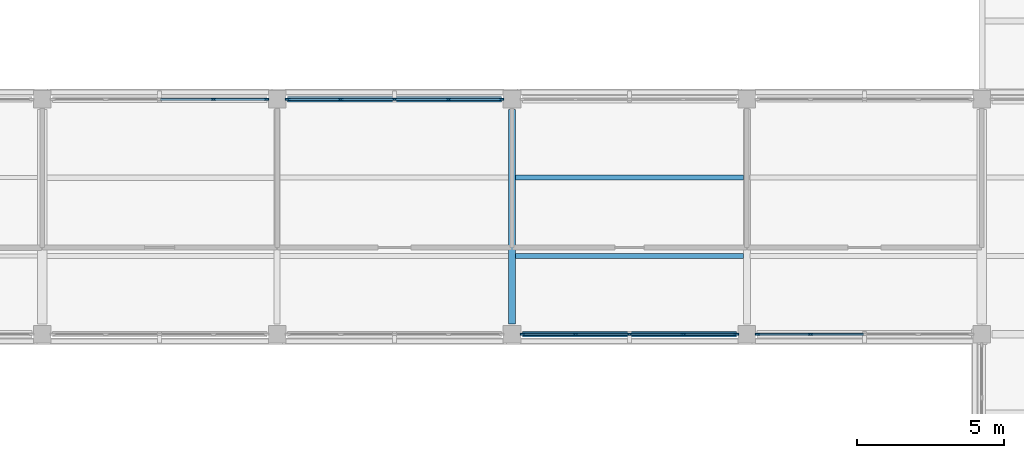
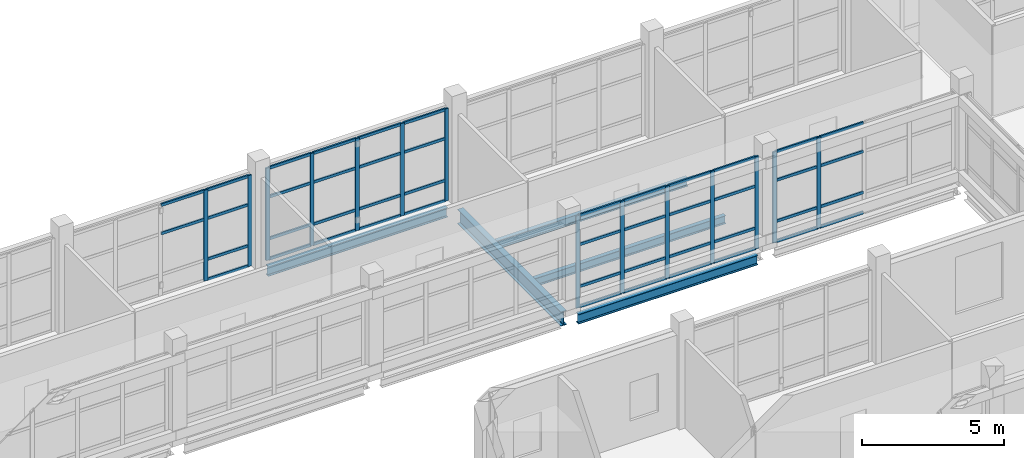
# One storey, part 48 of 121: 60 members, 5 beams, 4 elements without a shape of their own.
"""IFC4 building model written with IfcOpenShell, lengths in metres."""

import ifcopenshell
import ifcopenshell.guid

model = None  # the IFC model being written
_history = None  # IfcOwnerHistory: only IFC2X3 demands one
_inside = {}  # id of a spatial element -> (the spatial element, [elements in it])
_under = {}  # id of a project, library or spatial element -> (it, [spatial elements below it])
_declared = {}  # id of a project -> (the project, [libraries it declares])
_typed = {}  # id of a type object -> (the type object, [elements of that type])
_made_of = {}  # id of a material, layer set ... -> (it, [elements and type objects made of it])


def new_model(schema):
    """Start an empty IFC model of exactly this schema.

    Asked for "IFC4X3", IfcOpenShell would pick the latest addendum, in which some entities
    have other attributes; the version numbers below select the first issue.
    IFC2X3 requires an IfcOwnerHistory on every rooted entity: one is made here for all.
    """
    global model, _history
    if schema == "IFC4X3":
        model = ifcopenshell.file(schema_version=(4, 3, 0, 0))
    else:
        model = ifcopenshell.file(schema=schema)
    _inside.clear()
    _under.clear()
    _declared.clear()
    _typed.clear()
    _made_of.clear()
    _history = None
    if model.schema == "IFC2X3":
        org = make("IfcOrganization", Name="unknown")
        user = make(
            "IfcPersonAndOrganization",
            ThePerson=make("IfcPerson", FamilyName="unknown"),
            TheOrganization=org,
        )
        app = make(
            "IfcApplication",
            ApplicationDeveloper=org,
            Version="unknown",
            ApplicationFullName="unknown",
            ApplicationIdentifier="unknown",
        )
        _history = make(
            "IfcOwnerHistory",
            OwningUser=user,
            OwningApplication=app,
            ChangeAction="ADDED",
            CreationDate=0,
        )
    return model


def make(cls, **values):
    """One entity of the class cls with the attributes given. An attribute that is None is left unset."""
    return model.create_entity(
        cls, **{name: value for name, value in values.items() if value is not None}
    )


def rooted(cls, **values):
    """An entity with a GlobalId (a new one), such as an element, a storey or a relation."""
    return make(cls, GlobalId=ifcopenshell.guid.new(), OwnerHistory=_history, **values)


def si_unit(unit_type, name, prefix=None):
    """IfcSIUnit, for example si_unit("LENGTHUNIT", "METRE", prefix="MILLI")."""
    return make("IfcSIUnit", UnitType=unit_type, Prefix=prefix, Name=name)


def derived_unit(unit_type, elements):
    """IfcDerivedUnit: a product of units, each with its exponent."""
    return make(
        "IfcDerivedUnit",
        Elements=[
            make("IfcDerivedUnitElement", Unit=unit, Exponent=power)
            for unit, power in elements
        ],
        UnitType=unit_type,
    )


def assignment(units):
    """IfcUnitAssignment: the units of a project."""
    return None if units is None else make("IfcUnitAssignment", Units=units)


def point(xyz):
    """IfcCartesianPoint."""
    return None if xyz is None else make("IfcCartesianPoint", Coordinates=xyz)


def direction(xyz):
    """IfcDirection."""
    return None if xyz is None else make("IfcDirection", DirectionRatios=xyz)


def frame(location, z_axis=None, x_axis=None):
    """IfcAxis2Placement3D, a coordinate frame: its origin and axes. An axis left out is left unset."""
    return make(
        "IfcAxis2Placement3D",
        Location=point(location),
        Axis=direction(z_axis),
        RefDirection=direction(x_axis),
    )


def frame_2d(location, x_axis=None):
    """IfcAxis2Placement2D, a coordinate frame in the plane: its origin and x axis."""
    return make(
        "IfcAxis2Placement2D", Location=point(location), RefDirection=direction(x_axis)
    )


def origin():
    """The frame at (0, 0, 0) with its axes left unset."""
    return frame((0.0, 0.0, 0.0))


def origin_2d():
    """The frame at (0, 0) in the plane with its x axis left unset."""
    return frame_2d((0.0, 0.0))


def place(relative_to, where):
    """IfcLocalPlacement: puts the frame where relative to a parent placement (None: the world)."""
    return make(
        "IfcLocalPlacement", PlacementRelTo=relative_to, RelativePlacement=where
    )


def context(
    kind, dimensions, precision=None, world=None, true_north=None, identifier=None
):
    """IfcGeometricRepresentationContext, for example the 3D "Model" context."""
    return make(
        "IfcGeometricRepresentationContext",
        ContextIdentifier=identifier,
        ContextType=kind,
        CoordinateSpaceDimension=dimensions,
        Precision=precision,
        WorldCoordinateSystem=world,
        TrueNorth=true_north,
    )


def subcontext(parent, identifier, kind, view, scale=None):
    """IfcGeometricRepresentationSubContext, for example "Body" below "Model"."""
    return make(
        "IfcGeometricRepresentationSubContext",
        ContextIdentifier=identifier,
        ContextType=kind,
        ParentContext=parent,
        TargetScale=scale,
        TargetView=view,
    )


def project(units=None, contexts=None):
    """IfcProject with its units and contexts."""
    return rooted(
        "IfcProject",
        Name="project",
        RepresentationContexts=contexts,
        UnitsInContext=assignment(units),
    )


def spatial(cls, under=None, at=None, **own):
    """A site, building, storey or space (cls), placed at a placement, below another one or the project."""
    s = rooted(cls, ObjectPlacement=at, **own)
    if under is not None:
        _under.setdefault(under.id(), (under, []))[1].append(s)
    return s


def profile(cls, at=None, kind="AREA", **sizes):
    """A parametric profile (cls). Its sizes go by their IFC names, for example OverallWidth=200.0."""
    return make(cls, ProfileType=kind, Position=at, **sizes)


def rectangle(**sizes):
    """IfcRectangleProfileDef."""
    return profile("IfcRectangleProfileDef", **sizes)


def i_section(**sizes):
    """IfcIShapeProfileDef."""
    return profile("IfcIShapeProfileDef", **sizes)


def extrude(swept, where, along, depth):
    """IfcExtrudedAreaSolid: the profile swept, set in the frame where, extruded along a direction by depth."""
    return make(
        "IfcExtrudedAreaSolid",
        SweptArea=swept,
        Position=where,
        ExtrudedDirection=direction(along),
        Depth=depth,
    )


def shape(context_of_items, identifier, shape_type, items):
    """IfcShapeRepresentation: the items that make up one representation, for example the "Body"."""
    return make(
        "IfcShapeRepresentation",
        ContextOfItems=context_of_items,
        RepresentationIdentifier=identifier,
        RepresentationType=shape_type,
        Items=items,
    )


def material(Name=None, Category=None):
    """IfcMaterial."""
    return make("IfcMaterial", Name=Name, Category=Category)


def layer(
    of_material, thickness, ventilated=None, Name=None, Category=None, Priority=None
):
    """IfcMaterialLayer: one layer of a wall or slab, of a material (None: an air gap)."""
    return make(
        "IfcMaterialLayer",
        Material=of_material,
        LayerThickness=thickness,
        IsVentilated=ventilated,
        Name=Name,
        Category=Category,
        Priority=Priority,
    )


def layer_set(layers, Name=None):
    """IfcMaterialLayerSet."""
    return make("IfcMaterialLayerSet", MaterialLayers=layers, LayerSetName=Name)


def material_profile(
    of_material, cross_section, Name=None, Category=None, Priority=None
):
    """IfcMaterialProfile: a cross section and its material."""
    return make(
        "IfcMaterialProfile",
        Name=Name,
        Material=of_material,
        Profile=cross_section,
        Priority=Priority,
        Category=Category,
    )


def profile_set(profiles, Name=None, composite=None):
    """IfcMaterialProfileSet."""
    return make(
        "IfcMaterialProfileSet",
        Name=Name,
        MaterialProfiles=profiles,
        CompositeProfile=composite,
    )


def made_of(thing, what):
    """Note that an element or type object is made of a material, layer set ...; save() writes the relation."""
    if what is not None:
        _made_of.setdefault(what.id(), (what, []))[1].append(thing)
    return thing


def type_object(cls, material=None, **own):
    """A type object (cls), such as IfcWallType, which elements share."""
    return made_of(rooted(cls, **own), material)


def element(
    cls,
    number,
    at=None,
    inside=None,
    cuts=None,
    type_object=None,
    material=None,
    context=None,
    identifier="Body",
    shape_type=None,
    held_by="IfcProductDefinitionShape",
    body=None,
    shapes=None,
    **own,
):
    """One element of the class cls, such as IfcWall. Its Tag is "e" and its number.

    at: its placement. inside: the storey or other place that contains it. cuts: it is an
    opening in that element (IfcRelVoidsElement). A single representation is given by context,
    identifier, shape_type and body (its items); several are given by shapes. held_by: the class
    of the entity that holds the representations. save() writes the other relations.
    """
    e = rooted(cls, Tag="e%d" % number, ObjectPlacement=at, **own)
    if body is not None:
        shapes = [shape(context, identifier, shape_type, body)]
    if shapes is not None:
        e.Representation = make(held_by, Representations=shapes)
    if inside is not None:
        _inside.setdefault(inside.id(), (inside, []))[1].append(e)
    if cuts is not None:
        rooted(
            "IfcRelVoidsElement", RelatingBuildingElement=cuts, RelatedOpeningElement=e
        )
    if type_object is not None:
        _typed.setdefault(type_object.id(), (type_object, []))[1].append(e)
    return made_of(e, material)


def aggregate(whole, parts):
    """IfcRelAggregates: a whole, such as a stair, and the parts it consists of."""
    return rooted("IfcRelAggregates", RelatingObject=whole, RelatedObjects=parts)


def save(model, path):
    """Write the relations noted so far, then the file.

    IfcRelAggregates (storeys below a building ...), IfcRelContainedInSpatialStructure (elements
    in a storey), IfcRelDefinesByType, IfcRelAssociatesMaterial and IfcRelDeclares: one each for
    every whole, place, type object, material and project.
    """
    for whole, parts in _under.values():
        aggregate(whole, parts)
    for where, things in _inside.values():
        rooted(
            "IfcRelContainedInSpatialStructure",
            RelatedElements=things,
            RelatingStructure=where,
        )
    for kind, things in _typed.values():
        rooted("IfcRelDefinesByType", RelatedObjects=things, RelatingType=kind)
    for what, things in _made_of.values():
        rooted("IfcRelAssociatesMaterial", RelatedObjects=things, RelatingMaterial=what)
    for by, libraries in _declared.values():
        rooted("IfcRelDeclares", RelatingContext=by, RelatedDefinitions=libraries)
    model.write(path)


model = new_model("IFC4")

# Units and contexts
model_context = context("Model", 3, precision=1e-05, world=origin(), true_north=direction((0.0, 1.0)))
body_context = subcontext(model_context, "Body", "Model", "MODEL_VIEW")
ifc_project = project(units=[si_unit("LENGTHUNIT", "METRE"), si_unit("AREAUNIT", "SQUARE_METRE"), si_unit("VOLUMEUNIT", "CUBIC_METRE"), si_unit("PLANEANGLEUNIT", "RADIAN"), si_unit("MASSUNIT", "GRAM", prefix="KILO"), derived_unit("THERMALTRANSMITTANCEUNIT", [(si_unit("MASSUNIT", "GRAM", prefix="KILO"), 1), (si_unit("TIMEUNIT", "SECOND"), -3), (si_unit("THERMODYNAMICTEMPERATUREUNIT", "KELVIN"), -1)])], contexts=[model_context])

# Site, building, storey
site_placement = place(None, origin())
site = spatial("IfcSite", under=ifc_project, at=site_placement, CompositionType="ELEMENT")
building_placement = place(site_placement, origin())
building = spatial("IfcBuilding", under=site, at=building_placement, Name="Veyamyaing Civic Hall", CompositionType="ELEMENT")
storey_placement = place(building_placement, frame((0.0, 0.0, 5.280029296875)))
storey = spatial("IfcBuildingStorey", under=building, at=storey_placement, Name="L01", CompositionType="ELEMENT", Elevation=5.280029296875)

# Beams
ifc_material_1 = material(Name="Steel ASTM A992", Category="steel")
ifc_material_profile_1 = material_profile(ifc_material_1, i_section(OverallWidth=0.22998046875, OverallDepth=0.616943359375, WebThickness=0.01318359375, FlangeThickness=0.022216796875, FilletRadius=0.012939453125, at=origin_2d()), Name="W610X140")
ifc_profile_set_1 = profile_set([ifc_material_profile_1], Name="Steel ASTM A992")
beam_type_1 = type_object("IfcBeamType", Name="B-05", PredefinedType="BEAM", material=ifc_profile_set_1)
beam_placement = place(storey_placement, frame((144.0, 48.35009765625, -0.553466796875), z_axis=(0.0, 1.0, 0.0), x_axis=(-1.0, 0.0, 0.0)))
element("IfcBeam", 1, at=beam_placement, inside=storey, type_object=beam_type_1, Name="Girder B-05 L01 Grid 19 G-H", PredefinedType="BEAM", context=body_context, shape_type="SweptSolid", body=[
    extrude(i_section(OverallWidth=0.22998046875, OverallDepth=0.616943359375, WebThickness=0.01318359375, FlangeThickness=0.022216796875, FilletRadius=0.012939453125, at=origin_2d()), origin(), (0.0, 0.0, 1.0), 7.2998046875),
])
ifc_material_profile_2 = material_profile(ifc_material_1, i_section(OverallWidth=0.180908203125, OverallDepth=0.4169921875, WebThickness=0.010986328125, FlangeThickness=0.018310546875, FilletRadius=0.010009765625, at=origin_2d()), Name="W410X85")
ifc_profile_set_2 = profile_set([ifc_material_profile_2], Name="Steel ASTM A992")
beam_type_2 = type_object("IfcBeamType", Name="B-19", PredefinedType="SPANDREL", material=ifc_profile_set_2)
for number, where, z_axis, x_axis, name in (
    (2, (144.35009765625, 48.0, -0.45361328125), (1.0, 0.0, 0.0), (0.0, 1.0, 0.0), "Girder B-19 L01 Grid G 19-20"),
    (3, (136.35009765625, 56.0, -0.45361328125), (1.0, 0.0, 0.0), (0.0, 1.0, 0.0), "Girder B-19 L01 Grid H 18-19"),
):
    element("IfcBeam", number, at=place(storey_placement, frame(where, z_axis=z_axis, x_axis=x_axis)), inside=storey, type_object=beam_type_2, Name=name, PredefinedType="SPANDREL", context=body_context, shape_type="SweptSolid", body=[
        extrude(i_section(OverallWidth=0.180908203125, OverallDepth=0.4169921875, WebThickness=0.010986328125, FlangeThickness=0.018310546875, FilletRadius=0.010009765625, at=origin_2d()), origin(), (0.0, 0.0, 1.0), 7.2998046875),
    ])

# Curtain wall, members
ifc_material_2 = material(Name="Anodised aluminium 6063-T6", Category="aluminium")
ifc_layer = layer(ifc_material_2, 0.159912109375, Name="Anodised aluminium 6063-T6")
ifc_layer_set = layer_set([ifc_layer], Name="Anodised aluminium 6063-T6")
curtain_wall_type = type_object("IfcCurtainWallType", Name="CW-02", PredefinedType="NOTDEFINED", material=ifc_layer_set)
curtain_wall_1_placement = place(storey_placement, origin())
curtain_wall_1 = element("IfcCurtainWall", 4, at=curtain_wall_1_placement, inside=storey, type_object=curtain_wall_type, Name="Unitized curtain wall CW-02 L01 N 17.7", PredefinedType="NOTDEFINED")
ifc_material_profile_3 = material_profile(ifc_material_2, rectangle(XDim=0.06494140625, YDim=0.159912109375, at=origin_2d()), Name="ALU-MUL-65X160")
ifc_profile_set_3 = profile_set([ifc_material_profile_3], Name="Anodised aluminium 6063-T6")
member_type_1 = type_object("IfcMemberType", Name="CWM-01", PredefinedType="MULLION", material=ifc_profile_set_3)
member_1_placement = place(storey_placement, frame((133.8349609375, 56.0, 0.0), z_axis=(0.0, 0.0, 1.0), x_axis=(0.0, 1.0, 0.0)))
member_1 = element("IfcMember", 5, at=member_1_placement, type_object=member_type_1, Name="CW-02 mullion 4", PredefinedType="MULLION", context=body_context, shape_type="SweptSolid", body=[
    extrude(rectangle(XDim=0.06494140625, YDim=0.159912109375, at=origin_2d()), origin(), (0.0, 0.0, 1.0), 3.909912109375),
])
member_2_placement = place(storey_placement, frame((135.637451171875, 56.0, 0.0), z_axis=(0.0, 0.0, 1.0), x_axis=(0.0, 1.0, 0.0)))
member_2 = element("IfcMember", 6, at=member_2_placement, type_object=member_type_1, Name="CW-02 mullion 5", PredefinedType="MULLION", context=body_context, shape_type="SweptSolid", body=[
    extrude(rectangle(XDim=0.06494140625, YDim=0.159912109375, at=origin_2d()), origin(), (0.0, 0.0, 1.0), 3.909912109375),
])

curtain_wall_2_placement = place(storey_placement, origin())
curtain_wall_2 = element("IfcCurtainWall", 7, at=curtain_wall_2_placement, inside=storey, type_object=curtain_wall_type, Name="Unitized curtain wall CW-02 L01 N 18.7", PredefinedType="NOTDEFINED")
member_3_placement = place(storey_placement, frame((136.362548828125, 56.0, 0.0), z_axis=(0.0, 0.0, 1.0), x_axis=(0.0, 1.0, 0.0)))
member_3 = element("IfcMember", 8, at=member_3_placement, type_object=member_type_1, Name="CW-02 mullion 1", PredefinedType="MULLION", context=body_context, shape_type="SweptSolid", body=[
    extrude(rectangle(XDim=0.06494140625, YDim=0.159912109375, at=origin_2d()), origin(), (0.0, 0.0, 1.0), 3.973876953125),
])
member_4_placement = place(storey_placement, frame((138.1650390625, 56.0, 0.0), z_axis=(0.0, 0.0, 1.0), x_axis=(0.0, 1.0, 0.0)))
member_4 = element("IfcMember", 9, at=member_4_placement, type_object=member_type_1, Name="CW-02 mullion 2", PredefinedType="MULLION", context=body_context, shape_type="SweptSolid", body=[
    extrude(rectangle(XDim=0.06494140625, YDim=0.159912109375, at=origin_2d()), origin(), (0.0, 0.0, 1.0), 3.973876953125),
])
member_5_placement = place(storey_placement, frame((140.0, 56.0, 0.0), z_axis=(0.0, 0.0, 1.0), x_axis=(0.0, 1.0, 0.0)))
member_5 = element("IfcMember", 10, at=member_5_placement, type_object=member_type_1, Name="CW-02 mullion 3", PredefinedType="MULLION", context=body_context, shape_type="SweptSolid", body=[
    extrude(rectangle(XDim=0.06494140625, YDim=0.159912109375, at=origin_2d()), origin(), (0.0, 0.0, 1.0), 3.973876953125),
])
member_6_placement = place(storey_placement, frame((141.8349609375, 56.0, 0.0), z_axis=(0.0, 0.0, 1.0), x_axis=(0.0, 1.0, 0.0)))
member_6 = element("IfcMember", 11, at=member_6_placement, type_object=member_type_1, Name="CW-02 mullion 4", PredefinedType="MULLION", context=body_context, shape_type="SweptSolid", body=[
    extrude(rectangle(XDim=0.06494140625, YDim=0.159912109375, at=origin_2d()), origin(), (0.0, 0.0, 1.0), 3.973876953125),
])
member_7_placement = place(storey_placement, frame((143.637451171875, 56.0, 0.0), z_axis=(0.0, 0.0, 1.0), x_axis=(0.0, 1.0, 0.0)))
member_7 = element("IfcMember", 12, at=member_7_placement, type_object=member_type_1, Name="CW-02 mullion 5", PredefinedType="MULLION", context=body_context, shape_type="SweptSolid", body=[
    extrude(rectangle(XDim=0.06494140625, YDim=0.159912109375, at=origin_2d()), origin(), (0.0, 0.0, 1.0), 3.973876953125),
])

curtain_wall_3_placement = place(storey_placement, origin())
curtain_wall_3 = element("IfcCurtainWall", 13, at=curtain_wall_3_placement, inside=storey, type_object=curtain_wall_type, Name="Unitized curtain wall CW-02 L01 S 19.7", PredefinedType="NOTDEFINED")
member_8_placement = place(storey_placement, frame((144.362548828125, 48.0, 0.0), z_axis=(0.0, 0.0, 1.0), x_axis=(0.0, 1.0, 0.0)))
member_8 = element("IfcMember", 14, at=member_8_placement, type_object=member_type_1, Name="CW-02 mullion 1", PredefinedType="MULLION", context=body_context, shape_type="SweptSolid", body=[
    extrude(rectangle(XDim=0.06494140625, YDim=0.159912109375, at=origin_2d()), origin(), (0.0, 0.0, 1.0), 3.973876953125),
])
member_9_placement = place(storey_placement, frame((146.1650390625, 48.0, 0.0), z_axis=(0.0, 0.0, 1.0), x_axis=(0.0, 1.0, 0.0)))
member_9 = element("IfcMember", 15, at=member_9_placement, type_object=member_type_1, Name="CW-02 mullion 2", PredefinedType="MULLION", context=body_context, shape_type="SweptSolid", body=[
    extrude(rectangle(XDim=0.06494140625, YDim=0.159912109375, at=origin_2d()), origin(), (0.0, 0.0, 1.0), 3.973876953125),
])
member_10_placement = place(storey_placement, frame((148.0, 48.0, 0.0), z_axis=(0.0, 0.0, 1.0), x_axis=(0.0, 1.0, 0.0)))
member_10 = element("IfcMember", 16, at=member_10_placement, type_object=member_type_1, Name="CW-02 mullion 3", PredefinedType="MULLION", context=body_context, shape_type="SweptSolid", body=[
    extrude(rectangle(XDim=0.06494140625, YDim=0.159912109375, at=origin_2d()), origin(), (0.0, 0.0, 1.0), 3.973876953125),
])
member_11_placement = place(storey_placement, frame((149.8349609375, 48.0, 0.0), z_axis=(0.0, 0.0, 1.0), x_axis=(0.0, 1.0, 0.0)))
member_11 = element("IfcMember", 17, at=member_11_placement, type_object=member_type_1, Name="CW-02 mullion 4", PredefinedType="MULLION", context=body_context, shape_type="SweptSolid", body=[
    extrude(rectangle(XDim=0.06494140625, YDim=0.159912109375, at=origin_2d()), origin(), (0.0, 0.0, 1.0), 3.973876953125),
])
member_12_placement = place(storey_placement, frame((151.637451171875, 48.0, 0.0), z_axis=(0.0, 0.0, 1.0), x_axis=(0.0, 1.0, 0.0)))
member_12 = element("IfcMember", 18, at=member_12_placement, type_object=member_type_1, Name="CW-02 mullion 5", PredefinedType="MULLION", context=body_context, shape_type="SweptSolid", body=[
    extrude(rectangle(XDim=0.06494140625, YDim=0.159912109375, at=origin_2d()), origin(), (0.0, 0.0, 1.0), 3.973876953125),
])

curtain_wall_4_placement = place(storey_placement, origin())
curtain_wall_4 = element("IfcCurtainWall", 19, at=curtain_wall_4_placement, inside=storey, type_object=curtain_wall_type, Name="Unitized curtain wall CW-02 L01 S 20.7", PredefinedType="NOTDEFINED")
member_13_placement = place(storey_placement, frame((152.362548828125, 48.0, 0.0), z_axis=(0.0, 0.0, 1.0), x_axis=(0.0, 1.0, 0.0)))
member_13 = element("IfcMember", 20, at=member_13_placement, type_object=member_type_1, Name="CW-02 mullion 1", PredefinedType="MULLION", context=body_context, shape_type="SweptSolid", body=[
    extrude(rectangle(XDim=0.06494140625, YDim=0.159912109375, at=origin_2d()), origin(), (0.0, 0.0, 1.0), 3.9140625),
])
member_14_placement = place(storey_placement, frame((154.1650390625, 48.0, 0.0), z_axis=(0.0, 0.0, 1.0), x_axis=(0.0, 1.0, 0.0)))
member_14 = element("IfcMember", 21, at=member_14_placement, type_object=member_type_1, Name="CW-02 mullion 2", PredefinedType="MULLION", context=body_context, shape_type="SweptSolid", body=[
    extrude(rectangle(XDim=0.06494140625, YDim=0.159912109375, at=origin_2d()), origin(), (0.0, 0.0, 1.0), 3.9140625),
])

# Member
ifc_material_profile_4 = material_profile(ifc_material_2, rectangle(XDim=0.06494140625, YDim=0.1201171875, at=origin_2d()), Name="ALU-TRN-65X120")
ifc_profile_set_4 = profile_set([ifc_material_profile_4], Name="Anodised aluminium 6063-T6")
member_type_2 = type_object("IfcMemberType", Name="CWT-01", PredefinedType="USERDEFINED", material=ifc_profile_set_4)
member_15_placement = place(storey_placement, frame((132.032470703125, 56.0, 2.65869140625), z_axis=(1.0, 0.0, 0.0), x_axis=(0.0, 1.0, 0.0)))
member_15 = element("IfcMember", 22, at=member_15_placement, type_object=member_type_2, Name="CW-02 transom 3.3", ObjectType="TRANSOM", PredefinedType="USERDEFINED", context=body_context, shape_type="SweptSolid", body=[
    extrude(rectangle(XDim=0.06494140625, YDim=0.1201171875, at=origin_2d()), origin(), (0.0, 0.0, 1.0), 1.77001953125),
])

member_16_placement = place(storey_placement, frame((132.032470703125, 56.0, 3.87744140625), z_axis=(1.0, 0.0, 0.0), x_axis=(0.0, 1.0, 0.0)))
member_16 = element("IfcMember", 23, at=member_16_placement, type_object=member_type_2, Name="CW-02 transom 3.4", ObjectType="TRANSOM", PredefinedType="USERDEFINED", context=body_context, shape_type="SweptSolid", body=[
    extrude(rectangle(XDim=0.06494140625, YDim=0.1201171875, at=origin_2d()), origin(), (0.0, 0.0, 1.0), 1.77001953125),
])

member_17_placement = place(storey_placement, frame((133.867431640625, 56.0, 0.032470703125), z_axis=(1.0, 0.0, 0.0), x_axis=(0.0, 1.0, 0.0)))
member_17 = element("IfcMember", 24, at=member_17_placement, type_object=member_type_2, Name="CW-02 transom 4.1", ObjectType="TRANSOM", PredefinedType="USERDEFINED", context=body_context, shape_type="SweptSolid", body=[
    extrude(rectangle(XDim=0.06494140625, YDim=0.1201171875, at=origin_2d()), origin(), (0.0, 0.0, 1.0), 1.737548828125),
])

member_18_placement = place(storey_placement, frame((133.867431640625, 56.0, 0.89990234375), z_axis=(1.0, 0.0, 0.0), x_axis=(0.0, 1.0, 0.0)))
member_18 = element("IfcMember", 25, at=member_18_placement, type_object=member_type_2, Name="CW-02 transom 4.2", ObjectType="TRANSOM", PredefinedType="USERDEFINED", context=body_context, shape_type="SweptSolid", body=[
    extrude(rectangle(XDim=0.06494140625, YDim=0.1201171875, at=origin_2d()), origin(), (0.0, 0.0, 1.0), 1.737548828125),
])

member_19_placement = place(storey_placement, frame((133.867431640625, 56.0, 2.65869140625), z_axis=(1.0, 0.0, 0.0), x_axis=(0.0, 1.0, 0.0)))
member_19 = element("IfcMember", 26, at=member_19_placement, type_object=member_type_2, Name="CW-02 transom 4.3", ObjectType="TRANSOM", PredefinedType="USERDEFINED", context=body_context, shape_type="SweptSolid", body=[
    extrude(rectangle(XDim=0.06494140625, YDim=0.1201171875, at=origin_2d()), origin(), (0.0, 0.0, 1.0), 1.737548828125),
])

member_20_placement = place(storey_placement, frame((133.867431640625, 56.0, 3.87744140625), z_axis=(1.0, 0.0, 0.0), x_axis=(0.0, 1.0, 0.0)))
member_20 = element("IfcMember", 27, at=member_20_placement, type_object=member_type_2, Name="CW-02 transom 4.4", ObjectType="TRANSOM", PredefinedType="USERDEFINED", context=body_context, shape_type="SweptSolid", body=[
    extrude(rectangle(XDim=0.06494140625, YDim=0.1201171875, at=origin_2d()), origin(), (0.0, 0.0, 1.0), 1.737548828125),
])

aggregate(curtain_wall_1, [member_1, member_2, member_15, member_16, member_17, member_18, member_19, member_20])

member_21_placement = place(storey_placement, frame((136.39501953125, 56.0, 0.032470703125), z_axis=(1.0, 0.0, 0.0), x_axis=(0.0, 1.0, 0.0)))
member_21 = element("IfcMember", 28, at=member_21_placement, type_object=member_type_2, Name="CW-02 transom 1.1", ObjectType="TRANSOM", PredefinedType="USERDEFINED", context=body_context, shape_type="SweptSolid", body=[
    extrude(rectangle(XDim=0.06494140625, YDim=0.1201171875, at=origin_2d()), origin(), (0.0, 0.0, 1.0), 1.737548828125),
])

member_22_placement = place(storey_placement, frame((136.39501953125, 56.0, 0.89990234375), z_axis=(1.0, 0.0, 0.0), x_axis=(0.0, 1.0, 0.0)))
member_22 = element("IfcMember", 29, at=member_22_placement, type_object=member_type_2, Name="CW-02 transom 1.2", ObjectType="TRANSOM", PredefinedType="USERDEFINED", context=body_context, shape_type="SweptSolid", body=[
    extrude(rectangle(XDim=0.06494140625, YDim=0.1201171875, at=origin_2d()), origin(), (0.0, 0.0, 1.0), 1.737548828125),
])

member_23_placement = place(storey_placement, frame((136.39501953125, 56.0, 2.702392578125), z_axis=(1.0, 0.0, 0.0), x_axis=(0.0, 1.0, 0.0)))
member_23 = element("IfcMember", 30, at=member_23_placement, type_object=member_type_2, Name="CW-02 transom 1.3", ObjectType="TRANSOM", PredefinedType="USERDEFINED", context=body_context, shape_type="SweptSolid", body=[
    extrude(rectangle(XDim=0.06494140625, YDim=0.1201171875, at=origin_2d()), origin(), (0.0, 0.0, 1.0), 1.737548828125),
])

member_24_placement = place(storey_placement, frame((136.39501953125, 56.0, 3.94140625), z_axis=(1.0, 0.0, 0.0), x_axis=(0.0, 1.0, 0.0)))
member_24 = element("IfcMember", 31, at=member_24_placement, type_object=member_type_2, Name="CW-02 transom 1.4", ObjectType="TRANSOM", PredefinedType="USERDEFINED", context=body_context, shape_type="SweptSolid", body=[
    extrude(rectangle(XDim=0.06494140625, YDim=0.1201171875, at=origin_2d()), origin(), (0.0, 0.0, 1.0), 1.737548828125),
])

member_25_placement = place(storey_placement, frame((138.197509765625, 56.0, 0.032470703125), z_axis=(1.0, 0.0, 0.0), x_axis=(0.0, 1.0, 0.0)))
member_25 = element("IfcMember", 32, at=member_25_placement, type_object=member_type_2, Name="CW-02 transom 2.1", ObjectType="TRANSOM", PredefinedType="USERDEFINED", context=body_context, shape_type="SweptSolid", body=[
    extrude(rectangle(XDim=0.06494140625, YDim=0.1201171875, at=origin_2d()), origin(), (0.0, 0.0, 1.0), 1.77001953125),
])

member_26_placement = place(storey_placement, frame((138.197509765625, 56.0, 0.89990234375), z_axis=(1.0, 0.0, 0.0), x_axis=(0.0, 1.0, 0.0)))
member_26 = element("IfcMember", 33, at=member_26_placement, type_object=member_type_2, Name="CW-02 transom 2.2", ObjectType="TRANSOM", PredefinedType="USERDEFINED", context=body_context, shape_type="SweptSolid", body=[
    extrude(rectangle(XDim=0.06494140625, YDim=0.1201171875, at=origin_2d()), origin(), (0.0, 0.0, 1.0), 1.77001953125),
])

member_27_placement = place(storey_placement, frame((138.197509765625, 56.0, 2.702392578125), z_axis=(1.0, 0.0, 0.0), x_axis=(0.0, 1.0, 0.0)))
member_27 = element("IfcMember", 34, at=member_27_placement, type_object=member_type_2, Name="CW-02 transom 2.3", ObjectType="TRANSOM", PredefinedType="USERDEFINED", context=body_context, shape_type="SweptSolid", body=[
    extrude(rectangle(XDim=0.06494140625, YDim=0.1201171875, at=origin_2d()), origin(), (0.0, 0.0, 1.0), 1.77001953125),
])

member_28_placement = place(storey_placement, frame((138.197509765625, 56.0, 3.94140625), z_axis=(1.0, 0.0, 0.0), x_axis=(0.0, 1.0, 0.0)))
member_28 = element("IfcMember", 35, at=member_28_placement, type_object=member_type_2, Name="CW-02 transom 2.4", ObjectType="TRANSOM", PredefinedType="USERDEFINED", context=body_context, shape_type="SweptSolid", body=[
    extrude(rectangle(XDim=0.06494140625, YDim=0.1201171875, at=origin_2d()), origin(), (0.0, 0.0, 1.0), 1.77001953125),
])

member_29_placement = place(storey_placement, frame((140.032470703125, 56.0, 0.032470703125), z_axis=(1.0, 0.0, 0.0), x_axis=(0.0, 1.0, 0.0)))
member_29 = element("IfcMember", 36, at=member_29_placement, type_object=member_type_2, Name="CW-02 transom 3.1", ObjectType="TRANSOM", PredefinedType="USERDEFINED", context=body_context, shape_type="SweptSolid", body=[
    extrude(rectangle(XDim=0.06494140625, YDim=0.1201171875, at=origin_2d()), origin(), (0.0, 0.0, 1.0), 1.77001953125),
])

member_30_placement = place(storey_placement, frame((140.032470703125, 56.0, 0.89990234375), z_axis=(1.0, 0.0, 0.0), x_axis=(0.0, 1.0, 0.0)))
member_30 = element("IfcMember", 37, at=member_30_placement, type_object=member_type_2, Name="CW-02 transom 3.2", ObjectType="TRANSOM", PredefinedType="USERDEFINED", context=body_context, shape_type="SweptSolid", body=[
    extrude(rectangle(XDim=0.06494140625, YDim=0.1201171875, at=origin_2d()), origin(), (0.0, 0.0, 1.0), 1.77001953125),
])

member_31_placement = place(storey_placement, frame((140.032470703125, 56.0, 2.702392578125), z_axis=(1.0, 0.0, 0.0), x_axis=(0.0, 1.0, 0.0)))
member_31 = element("IfcMember", 38, at=member_31_placement, type_object=member_type_2, Name="CW-02 transom 3.3", ObjectType="TRANSOM", PredefinedType="USERDEFINED", context=body_context, shape_type="SweptSolid", body=[
    extrude(rectangle(XDim=0.06494140625, YDim=0.1201171875, at=origin_2d()), origin(), (0.0, 0.0, 1.0), 1.77001953125),
])

member_32_placement = place(storey_placement, frame((140.032470703125, 56.0, 3.94140625), z_axis=(1.0, 0.0, 0.0), x_axis=(0.0, 1.0, 0.0)))
member_32 = element("IfcMember", 39, at=member_32_placement, type_object=member_type_2, Name="CW-02 transom 3.4", ObjectType="TRANSOM", PredefinedType="USERDEFINED", context=body_context, shape_type="SweptSolid", body=[
    extrude(rectangle(XDim=0.06494140625, YDim=0.1201171875, at=origin_2d()), origin(), (0.0, 0.0, 1.0), 1.77001953125),
])

member_33_placement = place(storey_placement, frame((141.867431640625, 56.0, 0.032470703125), z_axis=(1.0, 0.0, 0.0), x_axis=(0.0, 1.0, 0.0)))
member_33 = element("IfcMember", 40, at=member_33_placement, type_object=member_type_2, Name="CW-02 transom 4.1", ObjectType="TRANSOM", PredefinedType="USERDEFINED", context=body_context, shape_type="SweptSolid", body=[
    extrude(rectangle(XDim=0.06494140625, YDim=0.1201171875, at=origin_2d()), origin(), (0.0, 0.0, 1.0), 1.737548828125),
])

member_34_placement = place(storey_placement, frame((141.867431640625, 56.0, 0.89990234375), z_axis=(1.0, 0.0, 0.0), x_axis=(0.0, 1.0, 0.0)))
member_34 = element("IfcMember", 41, at=member_34_placement, type_object=member_type_2, Name="CW-02 transom 4.2", ObjectType="TRANSOM", PredefinedType="USERDEFINED", context=body_context, shape_type="SweptSolid", body=[
    extrude(rectangle(XDim=0.06494140625, YDim=0.1201171875, at=origin_2d()), origin(), (0.0, 0.0, 1.0), 1.737548828125),
])

member_35_placement = place(storey_placement, frame((141.867431640625, 56.0, 2.702392578125), z_axis=(1.0, 0.0, 0.0), x_axis=(0.0, 1.0, 0.0)))
member_35 = element("IfcMember", 42, at=member_35_placement, type_object=member_type_2, Name="CW-02 transom 4.3", ObjectType="TRANSOM", PredefinedType="USERDEFINED", context=body_context, shape_type="SweptSolid", body=[
    extrude(rectangle(XDim=0.06494140625, YDim=0.1201171875, at=origin_2d()), origin(), (0.0, 0.0, 1.0), 1.737548828125),
])

member_36_placement = place(storey_placement, frame((141.867431640625, 56.0, 3.94140625), z_axis=(1.0, 0.0, 0.0), x_axis=(0.0, 1.0, 0.0)))
member_36 = element("IfcMember", 43, at=member_36_placement, type_object=member_type_2, Name="CW-02 transom 4.4", ObjectType="TRANSOM", PredefinedType="USERDEFINED", context=body_context, shape_type="SweptSolid", body=[
    extrude(rectangle(XDim=0.06494140625, YDim=0.1201171875, at=origin_2d()), origin(), (0.0, 0.0, 1.0), 1.737548828125),
])

aggregate(curtain_wall_2, [member_3, member_4, member_5, member_6, member_7, member_21, member_22, member_23, member_24, member_25, member_26, member_27, member_28, member_29, member_30, member_31, member_32, member_33, member_34, member_35, member_36])

member_37_placement = place(storey_placement, frame((144.39501953125, 48.0, 0.032470703125), z_axis=(1.0, 0.0, 0.0), x_axis=(0.0, 1.0, 0.0)))
member_37 = element("IfcMember", 44, at=member_37_placement, type_object=member_type_2, Name="CW-02 transom 1.1", ObjectType="TRANSOM", PredefinedType="USERDEFINED", context=body_context, shape_type="SweptSolid", body=[
    extrude(rectangle(XDim=0.06494140625, YDim=0.1201171875, at=origin_2d()), origin(), (0.0, 0.0, 1.0), 1.737548828125),
])

member_38_placement = place(storey_placement, frame((144.39501953125, 48.0, 0.89990234375), z_axis=(1.0, 0.0, 0.0), x_axis=(0.0, 1.0, 0.0)))
member_38 = element("IfcMember", 45, at=member_38_placement, type_object=member_type_2, Name="CW-02 transom 1.2", ObjectType="TRANSOM", PredefinedType="USERDEFINED", context=body_context, shape_type="SweptSolid", body=[
    extrude(rectangle(XDim=0.06494140625, YDim=0.1201171875, at=origin_2d()), origin(), (0.0, 0.0, 1.0), 1.737548828125),
])

member_39_placement = place(storey_placement, frame((144.39501953125, 48.0, 2.702392578125), z_axis=(1.0, 0.0, 0.0), x_axis=(0.0, 1.0, 0.0)))
member_39 = element("IfcMember", 46, at=member_39_placement, type_object=member_type_2, Name="CW-02 transom 1.3", ObjectType="TRANSOM", PredefinedType="USERDEFINED", context=body_context, shape_type="SweptSolid", body=[
    extrude(rectangle(XDim=0.06494140625, YDim=0.1201171875, at=origin_2d()), origin(), (0.0, 0.0, 1.0), 1.737548828125),
])

member_40_placement = place(storey_placement, frame((144.39501953125, 48.0, 3.94140625), z_axis=(1.0, 0.0, 0.0), x_axis=(0.0, 1.0, 0.0)))
member_40 = element("IfcMember", 47, at=member_40_placement, type_object=member_type_2, Name="CW-02 transom 1.4", ObjectType="TRANSOM", PredefinedType="USERDEFINED", context=body_context, shape_type="SweptSolid", body=[
    extrude(rectangle(XDim=0.06494140625, YDim=0.1201171875, at=origin_2d()), origin(), (0.0, 0.0, 1.0), 1.737548828125),
])

member_41_placement = place(storey_placement, frame((146.197509765625, 48.0, 0.032470703125), z_axis=(1.0, 0.0, 0.0), x_axis=(0.0, 1.0, 0.0)))
member_41 = element("IfcMember", 48, at=member_41_placement, type_object=member_type_2, Name="CW-02 transom 2.1", ObjectType="TRANSOM", PredefinedType="USERDEFINED", context=body_context, shape_type="SweptSolid", body=[
    extrude(rectangle(XDim=0.06494140625, YDim=0.1201171875, at=origin_2d()), origin(), (0.0, 0.0, 1.0), 1.77001953125),
])

member_42_placement = place(storey_placement, frame((146.197509765625, 48.0, 0.89990234375), z_axis=(1.0, 0.0, 0.0), x_axis=(0.0, 1.0, 0.0)))
member_42 = element("IfcMember", 49, at=member_42_placement, type_object=member_type_2, Name="CW-02 transom 2.2", ObjectType="TRANSOM", PredefinedType="USERDEFINED", context=body_context, shape_type="SweptSolid", body=[
    extrude(rectangle(XDim=0.06494140625, YDim=0.1201171875, at=origin_2d()), origin(), (0.0, 0.0, 1.0), 1.77001953125),
])

member_43_placement = place(storey_placement, frame((146.197509765625, 48.0, 2.702392578125), z_axis=(1.0, 0.0, 0.0), x_axis=(0.0, 1.0, 0.0)))
member_43 = element("IfcMember", 50, at=member_43_placement, type_object=member_type_2, Name="CW-02 transom 2.3", ObjectType="TRANSOM", PredefinedType="USERDEFINED", context=body_context, shape_type="SweptSolid", body=[
    extrude(rectangle(XDim=0.06494140625, YDim=0.1201171875, at=origin_2d()), origin(), (0.0, 0.0, 1.0), 1.77001953125),
])

member_44_placement = place(storey_placement, frame((146.197509765625, 48.0, 3.94140625), z_axis=(1.0, 0.0, 0.0), x_axis=(0.0, 1.0, 0.0)))
member_44 = element("IfcMember", 51, at=member_44_placement, type_object=member_type_2, Name="CW-02 transom 2.4", ObjectType="TRANSOM", PredefinedType="USERDEFINED", context=body_context, shape_type="SweptSolid", body=[
    extrude(rectangle(XDim=0.06494140625, YDim=0.1201171875, at=origin_2d()), origin(), (0.0, 0.0, 1.0), 1.77001953125),
])

member_45_placement = place(storey_placement, frame((148.032470703125, 48.0, 0.032470703125), z_axis=(1.0, 0.0, 0.0), x_axis=(0.0, 1.0, 0.0)))
member_45 = element("IfcMember", 52, at=member_45_placement, type_object=member_type_2, Name="CW-02 transom 3.1", ObjectType="TRANSOM", PredefinedType="USERDEFINED", context=body_context, shape_type="SweptSolid", body=[
    extrude(rectangle(XDim=0.06494140625, YDim=0.1201171875, at=origin_2d()), origin(), (0.0, 0.0, 1.0), 1.77001953125),
])

member_46_placement = place(storey_placement, frame((148.032470703125, 48.0, 0.89990234375), z_axis=(1.0, 0.0, 0.0), x_axis=(0.0, 1.0, 0.0)))
member_46 = element("IfcMember", 53, at=member_46_placement, type_object=member_type_2, Name="CW-02 transom 3.2", ObjectType="TRANSOM", PredefinedType="USERDEFINED", context=body_context, shape_type="SweptSolid", body=[
    extrude(rectangle(XDim=0.06494140625, YDim=0.1201171875, at=origin_2d()), origin(), (0.0, 0.0, 1.0), 1.77001953125),
])

member_47_placement = place(storey_placement, frame((148.032470703125, 48.0, 2.702392578125), z_axis=(1.0, 0.0, 0.0), x_axis=(0.0, 1.0, 0.0)))
member_47 = element("IfcMember", 54, at=member_47_placement, type_object=member_type_2, Name="CW-02 transom 3.3", ObjectType="TRANSOM", PredefinedType="USERDEFINED", context=body_context, shape_type="SweptSolid", body=[
    extrude(rectangle(XDim=0.06494140625, YDim=0.1201171875, at=origin_2d()), origin(), (0.0, 0.0, 1.0), 1.77001953125),
])

member_48_placement = place(storey_placement, frame((148.032470703125, 48.0, 3.94140625), z_axis=(1.0, 0.0, 0.0), x_axis=(0.0, 1.0, 0.0)))
member_48 = element("IfcMember", 55, at=member_48_placement, type_object=member_type_2, Name="CW-02 transom 3.4", ObjectType="TRANSOM", PredefinedType="USERDEFINED", context=body_context, shape_type="SweptSolid", body=[
    extrude(rectangle(XDim=0.06494140625, YDim=0.1201171875, at=origin_2d()), origin(), (0.0, 0.0, 1.0), 1.77001953125),
])

member_49_placement = place(storey_placement, frame((149.867431640625, 48.0, 0.032470703125), z_axis=(1.0, 0.0, 0.0), x_axis=(0.0, 1.0, 0.0)))
member_49 = element("IfcMember", 56, at=member_49_placement, type_object=member_type_2, Name="CW-02 transom 4.1", ObjectType="TRANSOM", PredefinedType="USERDEFINED", context=body_context, shape_type="SweptSolid", body=[
    extrude(rectangle(XDim=0.06494140625, YDim=0.1201171875, at=origin_2d()), origin(), (0.0, 0.0, 1.0), 1.737548828125),
])

member_50_placement = place(storey_placement, frame((149.867431640625, 48.0, 0.89990234375), z_axis=(1.0, 0.0, 0.0), x_axis=(0.0, 1.0, 0.0)))
member_50 = element("IfcMember", 57, at=member_50_placement, type_object=member_type_2, Name="CW-02 transom 4.2", ObjectType="TRANSOM", PredefinedType="USERDEFINED", context=body_context, shape_type="SweptSolid", body=[
    extrude(rectangle(XDim=0.06494140625, YDim=0.1201171875, at=origin_2d()), origin(), (0.0, 0.0, 1.0), 1.737548828125),
])

member_51_placement = place(storey_placement, frame((149.867431640625, 48.0, 2.702392578125), z_axis=(1.0, 0.0, 0.0), x_axis=(0.0, 1.0, 0.0)))
member_51 = element("IfcMember", 58, at=member_51_placement, type_object=member_type_2, Name="CW-02 transom 4.3", ObjectType="TRANSOM", PredefinedType="USERDEFINED", context=body_context, shape_type="SweptSolid", body=[
    extrude(rectangle(XDim=0.06494140625, YDim=0.1201171875, at=origin_2d()), origin(), (0.0, 0.0, 1.0), 1.737548828125),
])

member_52_placement = place(storey_placement, frame((149.867431640625, 48.0, 3.94140625), z_axis=(1.0, 0.0, 0.0), x_axis=(0.0, 1.0, 0.0)))
member_52 = element("IfcMember", 59, at=member_52_placement, type_object=member_type_2, Name="CW-02 transom 4.4", ObjectType="TRANSOM", PredefinedType="USERDEFINED", context=body_context, shape_type="SweptSolid", body=[
    extrude(rectangle(XDim=0.06494140625, YDim=0.1201171875, at=origin_2d()), origin(), (0.0, 0.0, 1.0), 1.737548828125),
])

aggregate(curtain_wall_3, [member_8, member_9, member_10, member_11, member_12, member_37, member_38, member_39, member_40, member_41, member_42, member_43, member_44, member_45, member_46, member_47, member_48, member_49, member_50, member_51, member_52])

member_53_placement = place(storey_placement, frame((152.39501953125, 48.0, 0.032470703125), z_axis=(1.0, 0.0, 0.0), x_axis=(0.0, 1.0, 0.0)))
member_53 = element("IfcMember", 60, at=member_53_placement, type_object=member_type_2, Name="CW-02 transom 1.1", ObjectType="TRANSOM", PredefinedType="USERDEFINED", context=body_context, shape_type="SweptSolid", body=[
    extrude(rectangle(XDim=0.06494140625, YDim=0.1201171875, at=origin_2d()), origin(), (0.0, 0.0, 1.0), 1.737548828125),
])

member_54_placement = place(storey_placement, frame((152.39501953125, 48.0, 0.89990234375), z_axis=(1.0, 0.0, 0.0), x_axis=(0.0, 1.0, 0.0)))
member_54 = element("IfcMember", 61, at=member_54_placement, type_object=member_type_2, Name="CW-02 transom 1.2", ObjectType="TRANSOM", PredefinedType="USERDEFINED", context=body_context, shape_type="SweptSolid", body=[
    extrude(rectangle(XDim=0.06494140625, YDim=0.1201171875, at=origin_2d()), origin(), (0.0, 0.0, 1.0), 1.737548828125),
])

member_55_placement = place(storey_placement, frame((152.39501953125, 48.0, 2.661376953125), z_axis=(1.0, 0.0, 0.0), x_axis=(0.0, 1.0, 0.0)))
member_55 = element("IfcMember", 62, at=member_55_placement, type_object=member_type_2, Name="CW-02 transom 1.3", ObjectType="TRANSOM", PredefinedType="USERDEFINED", context=body_context, shape_type="SweptSolid", body=[
    extrude(rectangle(XDim=0.06494140625, YDim=0.1201171875, at=origin_2d()), origin(), (0.0, 0.0, 1.0), 1.737548828125),
])

member_56_placement = place(storey_placement, frame((152.39501953125, 48.0, 3.881591796875), z_axis=(1.0, 0.0, 0.0), x_axis=(0.0, 1.0, 0.0)))
member_56 = element("IfcMember", 63, at=member_56_placement, type_object=member_type_2, Name="CW-02 transom 1.4", ObjectType="TRANSOM", PredefinedType="USERDEFINED", context=body_context, shape_type="SweptSolid", body=[
    extrude(rectangle(XDim=0.06494140625, YDim=0.1201171875, at=origin_2d()), origin(), (0.0, 0.0, 1.0), 1.737548828125),
])

member_57_placement = place(storey_placement, frame((154.197509765625, 48.0, 0.032470703125), z_axis=(1.0, 0.0, 0.0), x_axis=(0.0, 1.0, 0.0)))
member_57 = element("IfcMember", 64, at=member_57_placement, type_object=member_type_2, Name="CW-02 transom 2.1", ObjectType="TRANSOM", PredefinedType="USERDEFINED", context=body_context, shape_type="SweptSolid", body=[
    extrude(rectangle(XDim=0.06494140625, YDim=0.1201171875, at=origin_2d()), origin(), (0.0, 0.0, 1.0), 1.77001953125),
])

member_58_placement = place(storey_placement, frame((154.197509765625, 48.0, 0.89990234375), z_axis=(1.0, 0.0, 0.0), x_axis=(0.0, 1.0, 0.0)))
member_58 = element("IfcMember", 65, at=member_58_placement, type_object=member_type_2, Name="CW-02 transom 2.2", ObjectType="TRANSOM", PredefinedType="USERDEFINED", context=body_context, shape_type="SweptSolid", body=[
    extrude(rectangle(XDim=0.06494140625, YDim=0.1201171875, at=origin_2d()), origin(), (0.0, 0.0, 1.0), 1.77001953125),
])

member_59_placement = place(storey_placement, frame((154.197509765625, 48.0, 2.661376953125), z_axis=(1.0, 0.0, 0.0), x_axis=(0.0, 1.0, 0.0)))
member_59 = element("IfcMember", 66, at=member_59_placement, type_object=member_type_2, Name="CW-02 transom 2.3", ObjectType="TRANSOM", PredefinedType="USERDEFINED", context=body_context, shape_type="SweptSolid", body=[
    extrude(rectangle(XDim=0.06494140625, YDim=0.1201171875, at=origin_2d()), origin(), (0.0, 0.0, 1.0), 1.77001953125),
])

member_60_placement = place(storey_placement, frame((154.197509765625, 48.0, 3.881591796875), z_axis=(1.0, 0.0, 0.0), x_axis=(0.0, 1.0, 0.0)))
member_60 = element("IfcMember", 67, at=member_60_placement, type_object=member_type_2, Name="CW-02 transom 2.4", ObjectType="TRANSOM", PredefinedType="USERDEFINED", context=body_context, shape_type="SweptSolid", body=[
    extrude(rectangle(XDim=0.06494140625, YDim=0.1201171875, at=origin_2d()), origin(), (0.0, 0.0, 1.0), 1.77001953125),
])

aggregate(curtain_wall_4, [member_13, member_14, member_53, member_54, member_55, member_56, member_57, member_58, member_59, member_60])

# Beams
ifc_material_profile_5 = material_profile(ifc_material_1, i_section(OverallWidth=0.1708984375, OverallDepth=0.35205078125, WebThickness=0.0068359375, FlangeThickness=0.009765625, FilletRadius=0.010009765625, at=origin_2d()), Name="W360X44")
ifc_profile_set_5 = profile_set([ifc_material_profile_5], Name="Steel ASTM A992")
beam_type_3 = type_object("IfcBeamType", Name="J-03", PredefinedType="JOIST", material=ifc_profile_set_5)
for number, where, z_axis, x_axis, name in (
    (68, (144.113037109375, 50.666748046875, -0.421142578125), (1.0, 0.0, 0.0), (0.0, 1.0, 0.0), "Composite floor joist J-03 L01 19.7.1"),
    (69, (144.113037109375, 53.333251953125, -0.421142578125), (1.0, 0.0, 0.0), (0.0, 1.0, 0.0), "Composite floor joist J-03 L01 19.7.2"),
):
    element("IfcBeam", number, at=place(storey_placement, frame(where, z_axis=z_axis, x_axis=x_axis)), inside=storey, type_object=beam_type_3, Name=name, PredefinedType="JOIST", context=body_context, shape_type="SweptSolid", body=[
        extrude(i_section(OverallWidth=0.1708984375, OverallDepth=0.35205078125, WebThickness=0.0068359375, FlangeThickness=0.009765625, FilletRadius=0.010009765625, at=origin_2d()), origin(), (0.0, 0.0, 1.0), 7.77490234375),
    ])

save(model, "model.ifc")
